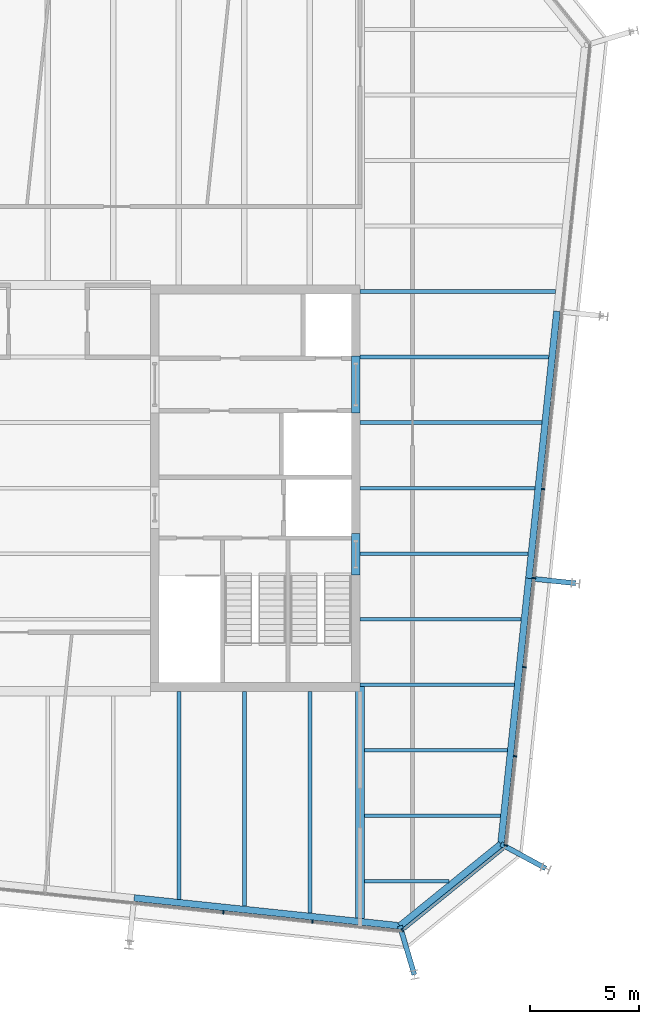
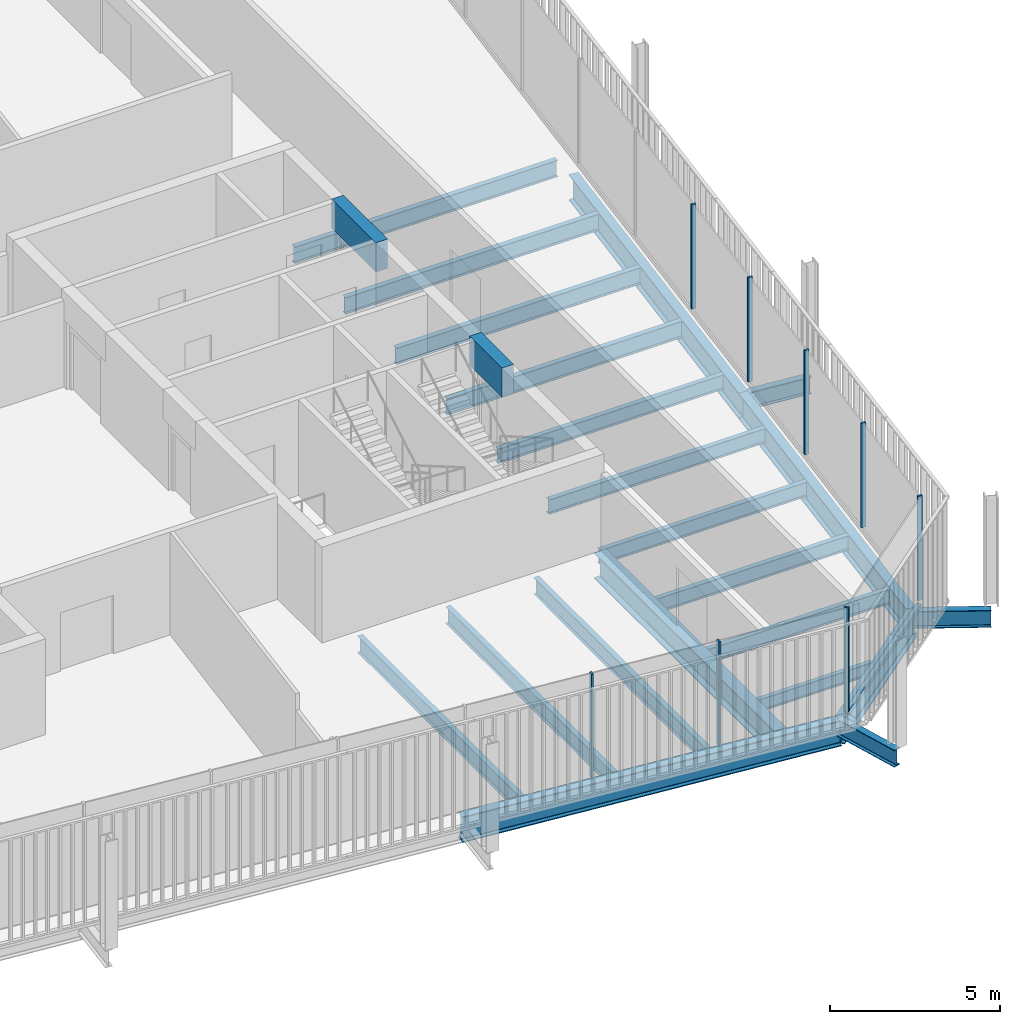
# One storey, part 9 of 19: 23 beams, 9 members, 3 elements without a shape of their own.
"""IFC4 building model written with IfcOpenShell, lengths in metres."""

from ifc_helpers import new_model, si_unit, direction, frame, origin, origin_2d, place, context, subcontext, project, spatial, rectangle, i_section, extrude, material, layer, layer_set, material_profile, profile_set, type_object, element, aggregate, save


model = new_model("IFC4")

# Units and contexts
model_context = context("Model", 3, precision=1e-05, world=origin(), true_north=direction((0.0, 1.0)))
body_context = subcontext(model_context, "Body", "Model", "MODEL_VIEW")
ifc_project = project(units=[si_unit("LENGTHUNIT", "METRE"), si_unit("AREAUNIT", "SQUARE_METRE"), si_unit("VOLUMEUNIT", "CUBIC_METRE"), si_unit("PLANEANGLEUNIT", "RADIAN"), si_unit("MASSUNIT", "GRAM", prefix="KILO")], contexts=[model_context])

# Site, building, storey
site_placement = place(None, origin())
site = spatial("IfcSite", under=ifc_project, at=site_placement, CompositionType="ELEMENT")
building_placement = place(site_placement, origin())
building = spatial("IfcBuilding", under=site, at=building_placement, Name="Millrace Tower", CompositionType="ELEMENT")
storey_placement = place(building_placement, frame((0.0, 0.0, 338.199951171875)))
storey = spatial("IfcBuildingStorey", under=building, at=storey_placement, Name="L78", CompositionType="ELEMENT", Elevation=338.199951171875)

# Curtain wall, members
ifc_material_1 = material(Name="Aluminium and glass", Category="aluminium")
ifc_layer = layer(ifc_material_1, 0.14990234375)
ifc_layer_set = layer_set([ifc_layer], Name="Aluminium and glass")
curtain_wall_type = type_object("IfcCurtainWallType", Name="CW-1 office vision curtain wall", PredefinedType="NOTDEFINED", material=ifc_layer_set)
placement = place(storey_placement, origin())
curtain_wall_1 = element("IfcCurtainWall", 1, at=placement, inside=storey, type_object=curtain_wall_type, Name="Curtain wall E-F02 L78", PredefinedType="NOTDEFINED")
ifc_material_2 = material(Name="Aluminium", Category="aluminium")
ifc_material_profile_1 = material_profile(ifc_material_2, rectangle(XDim=0.06494140625, YDim=0.14990234375, at=origin_2d()))
ifc_profile_set_1 = profile_set([ifc_material_profile_1], Name="Aluminium")
member_type_1 = type_object("IfcMemberType", Name="CW-1 office vision curtain wall mullion", PredefinedType="MULLION", material=ifc_profile_set_1)
member_1_placement = place(storey_placement, frame((8.040283203125, -19.4248046875, 0.14013671875), z_axis=(0.0, 0.0, 1.0), x_axis=(0.994521896217, -0.104528455196, 0.0)))
member_1 = element("IfcMember", 2, at=member_1_placement, type_object=member_type_1, Name="CW1 mullion E-F02.8", PredefinedType="MULLION", context=body_context, shape_type="SweptSolid", body=[
    extrude(rectangle(XDim=0.06494140625, YDim=0.14990234375, at=origin_2d()), origin(), (0.0, 0.0, 1.0), 3.760009765625),
])
member_2_placement = place(storey_placement, frame((12.117919921875, -19.853271484375, 0.14013671875), z_axis=(0.0, 0.0, 1.0), x_axis=(0.994521896217, -0.104528455196, 0.0)))
member_2 = element("IfcMember", 3, at=member_2_placement, type_object=member_type_1, Name="CW1 mullion E-F02.9", PredefinedType="MULLION", context=body_context, shape_type="SweptSolid", body=[
    extrude(rectangle(XDim=0.06494140625, YDim=0.14990234375, at=origin_2d()), origin(), (0.0, 0.0, 1.0), 3.760009765625),
])
aggregate(curtain_wall_1, [member_1, member_2])

# Curtain wall, member
curtain_wall_2 = element("IfcCurtainWall", 4, at=placement, inside=storey, type_object=curtain_wall_type, Name="Curtain wall E-F03 L78", PredefinedType="NOTDEFINED")
member_3_placement = place(storey_placement, frame((16.243408203125, -20.24169921875, 0.14013671875), z_axis=(0.0, 0.0, 1.0), x_axis=(0.777146052237, 0.629320278945, 0.0)))
member_3 = element("IfcMember", 5, at=member_3_placement, type_object=member_type_1, Name="CW1 mullion E-F03.1", PredefinedType="MULLION", context=body_context, shape_type="SweptSolid", body=[
    extrude(rectangle(XDim=0.06494140625, YDim=0.14990234375, at=origin_2d()), origin(), (0.0, 0.0, 1.0), 3.760009765625),
])

# Curtain wall, members
curtain_wall_3 = element("IfcCurtainWall", 6, at=placement, inside=storey, type_object=curtain_wall_type, Name="Curtain wall E-F04 L78", PredefinedType="NOTDEFINED")
member_4_placement = place(storey_placement, frame((20.974853515625, -16.3525390625, 0.14013671875), z_axis=(0.0, 0.0, 1.0), x_axis=(0.104528455196, 0.994521896217, 0.0)))
member_4 = element("IfcMember", 7, at=member_4_placement, type_object=member_type_1, Name="CW1 mullion E-F04.1", PredefinedType="MULLION", context=body_context, shape_type="SweptSolid", body=[
    extrude(rectangle(XDim=0.06494140625, YDim=0.14990234375, at=origin_2d()), origin(), (0.0, 0.0, 1.0), 3.760009765625),
])
member_5_placement = place(storey_placement, frame((21.4033203125, -12.27490234375, 0.14013671875), z_axis=(0.0, 0.0, 1.0), x_axis=(0.104528455196, 0.994521896217, 0.0)))
member_5 = element("IfcMember", 8, at=member_5_placement, type_object=member_type_1, Name="CW1 mullion E-F04.2", PredefinedType="MULLION", context=body_context, shape_type="SweptSolid", body=[
    extrude(rectangle(XDim=0.06494140625, YDim=0.14990234375, at=origin_2d()), origin(), (0.0, 0.0, 1.0), 3.760009765625),
])
member_6_placement = place(storey_placement, frame((21.83203125, -8.197509765625, 0.14013671875), z_axis=(0.0, 0.0, 1.0), x_axis=(0.104528455196, 0.994521896217, 0.0)))
member_6 = element("IfcMember", 9, at=member_6_placement, type_object=member_type_1, Name="CW1 mullion E-F04.3", PredefinedType="MULLION", context=body_context, shape_type="SweptSolid", body=[
    extrude(rectangle(XDim=0.06494140625, YDim=0.14990234375, at=origin_2d()), origin(), (0.0, 0.0, 1.0), 3.760009765625),
])
member_7_placement = place(storey_placement, frame((22.260498046875, -4.119873046875, 0.14013671875), z_axis=(0.0, 0.0, 1.0), x_axis=(0.104528455196, 0.994521896217, 0.0)))
member_7 = element("IfcMember", 10, at=member_7_placement, type_object=member_type_1, Name="CW1 mullion E-F04.4", PredefinedType="MULLION", context=body_context, shape_type="SweptSolid", body=[
    extrude(rectangle(XDim=0.06494140625, YDim=0.14990234375, at=origin_2d()), origin(), (0.0, 0.0, 1.0), 3.760009765625),
])
member_8_placement = place(storey_placement, frame((22.68896484375, -0.042236328125, 0.14013671875), z_axis=(0.0, 0.0, 1.0), x_axis=(0.104528455196, 0.994521896217, 0.0)))
member_8 = element("IfcMember", 11, at=member_8_placement, type_object=member_type_1, Name="CW1 mullion E-F04.5", PredefinedType="MULLION", context=body_context, shape_type="SweptSolid", body=[
    extrude(rectangle(XDim=0.06494140625, YDim=0.14990234375, at=origin_2d()), origin(), (0.0, 0.0, 1.0), 3.760009765625),
])
aggregate(curtain_wall_3, [member_4, member_5, member_6, member_7, member_8])

# Member
ifc_material_3 = material(Name="Aluminium", Category="aluminium")
ifc_material_profile_2 = material_profile(ifc_material_3, rectangle(XDim=0.14990234375, YDim=0.139892578125, at=origin_2d()))
ifc_profile_set_2 = profile_set([ifc_material_profile_2], Name="Aluminium")
member_type_2 = type_object("IfcMemberType", Name="CW-1 office vision curtain wall transom", PredefinedType="USERDEFINED", material=ifc_profile_set_2)
member_9_placement = place(storey_placement, frame((16.2958984375, -20.19921875, 0.070068359375), z_axis=(0.77714915117, 0.629316452061, 0.0), x_axis=(-0.629316452061, 0.77714915117, 0.0)))
member_9 = element("IfcMember", 12, at=member_9_placement, type_object=member_type_2, Name="CW1 transom E-F03.1", ObjectType="TRANSOM", PredefinedType="USERDEFINED", context=body_context, shape_type="SweptSolid", body=[
    extrude(rectangle(XDim=0.14990234375, YDim=0.139892578125, at=origin_2d()), origin(), (0.0, 0.0, 1.0), 5.880859375),
])

aggregate(curtain_wall_2, [member_3, member_9])

# Beams
ifc_material_4 = material(Name="Concrete C60", Category="concrete")
ifc_material_profile_3 = material_profile(ifc_material_4, rectangle(XDim=0.39990234375, YDim=1.050048828125, at=origin_2d()))
ifc_profile_set_3 = profile_set([ifc_material_profile_3], Name="Concrete C60")
beam_type_1 = type_object("IfcBeamType", Name="Coupling beam 400 x 1050 Concrete C60, 1300 opening", PredefinedType="BEAM", material=ifc_profile_set_3)
beam_1_placement = place(storey_placement, frame((14.10009765625, -2.080078125, 2.925048828125), z_axis=(0.0, -1.0, 0.0), x_axis=(1.0, 0.0, 0.0)))
element("IfcBeam", 13, at=beam_1_placement, inside=storey, type_object=beam_type_1, Name="Coupling beam E L78", PredefinedType="BEAM", context=body_context, shape_type="SweptSolid", body=[
    extrude(rectangle(XDim=0.39990234375, YDim=1.050048828125, at=origin_2d()), origin(), (0.0, 0.0, 1.0), 1.89990234375),
])
ifc_material_5 = material(Name="Concrete C60", Category="concrete")
ifc_material_profile_4 = material_profile(ifc_material_5, rectangle(XDim=0.39990234375, YDim=1.050048828125, at=origin_2d()))
ifc_profile_set_4 = profile_set([ifc_material_profile_4], Name="Concrete C60")
beam_type_2 = type_object("IfcBeamType", Name="Coupling beam 400 x 1050 Concrete C60, 2000 opening", PredefinedType="BEAM", material=ifc_profile_set_4)
beam_2_placement = place(storey_placement, frame((14.10009765625, 6.050048828125, 2.925048828125), z_axis=(0.0, -1.0, 0.0), x_axis=(1.0, 0.0, 0.0)))
element("IfcBeam", 14, at=beam_2_placement, inside=storey, type_object=beam_type_2, Name="Coupling beam E L78", PredefinedType="BEAM", context=body_context, shape_type="SweptSolid", body=[
    extrude(rectangle(XDim=0.39990234375, YDim=1.050048828125, at=origin_2d()), origin(), (0.0, 0.0, 1.0), 2.60009765625),
])
ifc_material_6 = material(Name="Steel ASTM A992 Grade 50", Category="steel")
ifc_material_profile_5 = material_profile(ifc_material_6, i_section(OverallWidth=0.15234375, OverallDepth=0.449462890625, WebThickness=0.007568359375, FlangeThickness=0.0107421875, FilletRadius=0.01025390625, at=origin_2d()))
ifc_profile_set_5 = profile_set([ifc_material_profile_5], Name="Steel ASTM A992 Grade 50")
beam_type_3 = type_object("IfcBeamType", Name="Floor beam W18x35", PredefinedType="JOIST", material=ifc_profile_set_5)
beam_3_placement = place(storey_placement, frame((14.509521484375, -18.0, -0.384765625), z_axis=(1.0, 0.0, 0.0), x_axis=(0.0, 1.0, 0.0)))
element("IfcBeam", 15, at=beam_3_placement, inside=storey, type_object=beam_type_3, Name="BM-E-L78-S1-S001", PredefinedType="JOIST", context=body_context, shape_type="SweptSolid", body=[
    extrude(i_section(OverallWidth=0.15234375, OverallDepth=0.449462890625, WebThickness=0.007568359375, FlangeThickness=0.0107421875, FilletRadius=0.01025390625, at=origin_2d()), origin(), (0.0, 0.0, 1.0), 3.87060546875),
])
ifc_material_7 = material(Name="Steel ASTM A992 Grade 50", Category="steel")
ifc_material_profile_6 = material_profile(ifc_material_7, i_section(OverallWidth=0.1650390625, OverallDepth=0.52587890625, WebThickness=0.0087890625, FlangeThickness=0.011474609375, FilletRadius=0.0126953125, at=origin_2d()))
ifc_profile_set_6 = profile_set([ifc_material_profile_6], Name="Steel ASTM A992 Grade 50")
beam_type_4 = type_object("IfcBeamType", Name="Floor beam W21x44", PredefinedType="JOIST", material=ifc_profile_set_6)
beam_4_placement = place(storey_placement, frame((14.509521484375, -15.0, -0.4228515625), z_axis=(1.0, 0.0, 0.0), x_axis=(0.0, 1.0, 0.0)))
element("IfcBeam", 16, at=beam_4_placement, inside=storey, type_object=beam_type_4, Name="BM-E-L78-S1-S003", PredefinedType="JOIST", context=body_context, shape_type="SweptSolid", body=[
    extrude(i_section(OverallWidth=0.1650390625, OverallDepth=0.52587890625, WebThickness=0.0087890625, FlangeThickness=0.011474609375, FilletRadius=0.0126953125, at=origin_2d()), origin(), (0.0, 0.0, 1.0), 6.222900390625),
])
beam_5_placement = place(storey_placement, frame((14.509521484375, -12.0, -0.4228515625), z_axis=(1.0, 0.0, 0.0), x_axis=(0.0, 1.0, 0.0)))
element("IfcBeam", 17, at=beam_5_placement, inside=storey, type_object=beam_type_4, Name="BM-E-L78-S1-S005", PredefinedType="JOIST", context=body_context, shape_type="SweptSolid", body=[
    extrude(i_section(OverallWidth=0.1650390625, OverallDepth=0.52587890625, WebThickness=0.0087890625, FlangeThickness=0.011474609375, FilletRadius=0.0126953125, at=origin_2d()), origin(), (0.0, 0.0, 1.0), 6.538330078125),
])
beam_6_placement = place(storey_placement, frame((14.300048828125, -9.0, -0.4228515625), z_axis=(1.0, 0.0, 0.0), x_axis=(0.0, 1.0, 0.0)))
element("IfcBeam", 18, at=beam_6_placement, inside=storey, type_object=beam_type_4, Name="BM-E-L78-S1-S007", PredefinedType="JOIST", context=body_context, shape_type="SweptSolid", body=[
    extrude(i_section(OverallWidth=0.1650390625, OverallDepth=0.52587890625, WebThickness=0.0087890625, FlangeThickness=0.011474609375, FilletRadius=0.0126953125, at=origin_2d()), origin(), (0.0, 0.0, 1.0), 7.06298828125),
])
beam_7_placement = place(storey_placement, frame((14.300048828125, -6.0, -0.4228515625), z_axis=(1.0, 0.0, 0.0), x_axis=(0.0, 1.0, 0.0)))
element("IfcBeam", 19, at=beam_7_placement, inside=storey, type_object=beam_type_4, Name="BM-E-L78-S1-S010", PredefinedType="JOIST", context=body_context, shape_type="SweptSolid", body=[
    extrude(i_section(OverallWidth=0.1650390625, OverallDepth=0.52587890625, WebThickness=0.0087890625, FlangeThickness=0.011474609375, FilletRadius=0.0126953125, at=origin_2d()), origin(), (0.0, 0.0, 1.0), 7.37841796875),
])
beam_8_placement = place(storey_placement, frame((14.300048828125, -3.0, -0.4228515625), z_axis=(1.0, 0.0, 0.0), x_axis=(0.0, 1.0, 0.0)))
element("IfcBeam", 20, at=beam_8_placement, inside=storey, type_object=beam_type_4, Name="BM-E-L78-S1-S013", PredefinedType="JOIST", context=body_context, shape_type="SweptSolid", body=[
    extrude(i_section(OverallWidth=0.1650390625, OverallDepth=0.52587890625, WebThickness=0.0087890625, FlangeThickness=0.011474609375, FilletRadius=0.0126953125, at=origin_2d()), origin(), (0.0, 0.0, 1.0), 7.693603515625),
])
ifc_material_8 = material(Name="Steel ASTM A992 Grade 50", Category="steel")
ifc_material_profile_7 = material_profile(ifc_material_8, i_section(OverallWidth=0.177978515625, OverallDepth=0.599365234375, WebThickness=0.010009765625, FlangeThickness=0.012939453125, FilletRadius=0.012939453125, at=origin_2d()))
ifc_profile_set_7 = profile_set([ifc_material_profile_7], Name="Steel ASTM A992 Grade 50")
beam_type_5 = type_object("IfcBeamType", Name="Floor beam W24x55", PredefinedType="JOIST", material=ifc_profile_set_7)
beam_9_placement = place(storey_placement, frame((14.300048828125, 0.0, -0.459716796875), z_axis=(1.0, 0.0, 0.0), x_axis=(0.0, 1.0, 0.0)))
element("IfcBeam", 21, at=beam_9_placement, inside=storey, type_object=beam_type_5, Name="BM-E-L78-S1-S016", PredefinedType="JOIST", context=body_context, shape_type="SweptSolid", body=[
    extrude(i_section(OverallWidth=0.177978515625, OverallDepth=0.599365234375, WebThickness=0.010009765625, FlangeThickness=0.012939453125, FilletRadius=0.012939453125, at=origin_2d()), origin(), (0.0, 0.0, 1.0), 8.009033203125),
])
beam_10_placement = place(storey_placement, frame((14.300048828125, 3.0, -0.459716796875), z_axis=(1.0, 0.0, 0.0), x_axis=(0.0, 1.0, 0.0)))
element("IfcBeam", 22, at=beam_10_placement, inside=storey, type_object=beam_type_5, Name="BM-E-L78-S1-S019", PredefinedType="JOIST", context=body_context, shape_type="SweptSolid", body=[
    extrude(i_section(OverallWidth=0.177978515625, OverallDepth=0.599365234375, WebThickness=0.010009765625, FlangeThickness=0.012939453125, FilletRadius=0.012939453125, at=origin_2d()), origin(), (0.0, 0.0, 1.0), 8.324462890625),
])
beam_11_placement = place(storey_placement, frame((14.300048828125, 6.0, -0.459716796875), z_axis=(1.0, 0.0, 0.0), x_axis=(0.0, 1.0, 0.0)))
element("IfcBeam", 23, at=beam_11_placement, inside=storey, type_object=beam_type_5, Name="BM-E-L78-S1-S022", PredefinedType="JOIST", context=body_context, shape_type="SweptSolid", body=[
    extrude(i_section(OverallWidth=0.177978515625, OverallDepth=0.599365234375, WebThickness=0.010009765625, FlangeThickness=0.012939453125, FilletRadius=0.012939453125, at=origin_2d()), origin(), (0.0, 0.0, 1.0), 8.6396484375),
])
beam_12_placement = place(storey_placement, frame((14.300048828125, 9.0, -0.459716796875), z_axis=(1.0, 0.0, 0.0), x_axis=(0.0, 1.0, 0.0)))
element("IfcBeam", 24, at=beam_12_placement, inside=storey, type_object=beam_type_5, Name="BM-E-L78-S1-S024", PredefinedType="JOIST", context=body_context, shape_type="SweptSolid", body=[
    extrude(i_section(OverallWidth=0.177978515625, OverallDepth=0.599365234375, WebThickness=0.010009765625, FlangeThickness=0.012939453125, FilletRadius=0.012939453125, at=origin_2d()), origin(), (0.0, 0.0, 1.0), 8.955078125),
])
beam_13_placement = place(storey_placement, frame((6.0, -18.825927734375, -0.459716796875), z_axis=(0.0, 1.0, 0.0), x_axis=(-1.0, 0.0, 0.0)))
element("IfcBeam", 25, at=beam_13_placement, inside=storey, type_object=beam_type_5, Name="BM-E-L78-S1-S049", PredefinedType="JOIST", context=body_context, shape_type="SweptSolid", body=[
    extrude(i_section(OverallWidth=0.177978515625, OverallDepth=0.599365234375, WebThickness=0.010009765625, FlangeThickness=0.012939453125, FilletRadius=0.012939453125, at=origin_2d()), origin(), (0.0, 0.0, 1.0), 9.52587890625),
])
beam_14_placement = place(storey_placement, frame((9.0, -19.14111328125, -0.459716796875), z_axis=(0.0, 1.0, 0.0), x_axis=(-1.0, 0.0, 0.0)))
element("IfcBeam", 26, at=beam_14_placement, inside=storey, type_object=beam_type_5, Name="BM-E-L78-S1-S051", PredefinedType="JOIST", context=body_context, shape_type="SweptSolid", body=[
    extrude(i_section(OverallWidth=0.177978515625, OverallDepth=0.599365234375, WebThickness=0.010009765625, FlangeThickness=0.012939453125, FilletRadius=0.012939453125, at=origin_2d()), origin(), (0.0, 0.0, 1.0), 9.841064453125),
])
ifc_material_9 = material(Name="Steel ASTM A992 Grade 50", Category="steel")
ifc_material_profile_8 = material_profile(ifc_material_9, i_section(OverallWidth=0.1787109375, OverallDepth=0.60205078125, WebThickness=0.010986328125, FlangeThickness=0.014892578125, FilletRadius=0.0126953125, at=origin_2d()))
ifc_profile_set_8 = profile_set([ifc_material_profile_8], Name="Steel ASTM A992 Grade 50")
beam_type_6 = type_object("IfcBeamType", Name="Floor beam W24x62", PredefinedType="JOIST", material=ifc_profile_set_8)
beam_15_placement = place(storey_placement, frame((12.0, -19.45654296875, -0.4609375), z_axis=(0.0, 1.0, 0.0), x_axis=(-1.0, 0.0, 0.0)))
element("IfcBeam", 27, at=beam_15_placement, inside=storey, type_object=beam_type_6, Name="BM-E-L78-S1-S053", PredefinedType="JOIST", context=body_context, shape_type="SweptSolid", body=[
    extrude(i_section(OverallWidth=0.1787109375, OverallDepth=0.60205078125, WebThickness=0.010986328125, FlangeThickness=0.014892578125, FilletRadius=0.0126953125, at=origin_2d()), origin(), (0.0, 0.0, 1.0), 10.156494140625),
])
ifc_material_10 = material(Name="Steel ASTM A992 Grade 50", Category="steel")
ifc_material_profile_9 = material_profile(ifc_material_10, i_section(OverallWidth=0.419189453125, OverallDepth=0.927001953125, WebThickness=0.019287109375, FlangeThickness=0.031982421875, FilletRadius=0.024169921875, at=origin_2d()))
ifc_profile_set_9 = profile_set([ifc_material_profile_9], Name="Steel ASTM A992 Grade 50")
beam_type_7 = type_object("IfcBeamType", Name="Girder short span W36x231", PredefinedType="BEAM", material=ifc_profile_set_9)
beam_16_placement = place(storey_placement, frame((14.300048828125, -19.6982421875, -0.62353515625), z_axis=(0.0, 1.0, 0.0), x_axis=(-1.0, 0.0, 0.0)))
element("IfcBeam", 28, at=beam_16_placement, inside=storey, type_object=beam_type_7, Name="BM-E-L78-S1-G057", PredefinedType="BEAM", context=body_context, shape_type="SweptSolid", body=[
    extrude(i_section(OverallWidth=0.419189453125, OverallDepth=0.927001953125, WebThickness=0.019287109375, FlangeThickness=0.031982421875, FilletRadius=0.024169921875, at=origin_2d()), origin(), (0.0, 0.0, 1.0), 10.6142578125),
])
ifc_material_11 = material(Name="Steel ASTM A992 Grade 50", Category="steel")
ifc_material_profile_10 = material_profile(ifc_material_11, i_section(OverallWidth=0.23046875, OverallDepth=0.6171875, WebThickness=0.01318359375, FlangeThickness=0.022216796875, FilletRadius=0.012939453125, at=origin_2d()))
ifc_profile_set_10 = profile_set([ifc_material_profile_10], Name="Steel ASTM A992 Grade 50")
beam_type_8 = type_object("IfcBeamType", Name="Link beam W24x94", PredefinedType="BEAM", material=ifc_profile_set_10)
beam_17_placement = place(storey_placement, frame((22.1826171875, -4.144287109375, -0.468505859375), z_axis=(0.99452550138, -0.104494148666, 0.0), x_axis=(0.104494148666, 0.99452550138, 0.0)))
element("IfcBeam", 29, at=beam_17_placement, inside=storey, type_object=beam_type_8, Name="LNK-E-L78-S1-11", PredefinedType="BEAM", context=body_context, shape_type="SweptSolid", body=[
    extrude(i_section(OverallWidth=0.23046875, OverallDepth=0.6171875, WebThickness=0.01318359375, FlangeThickness=0.022216796875, FilletRadius=0.012939453125, at=origin_2d()), origin(), (0.0, 0.0, 1.0), 2.0),
])
for number, where, z_axis, x_axis, name in (
    (30, (20.750732421875, -16.297607421875, -0.468505859375), (0.87881453358, -0.477163510307, 0.0), (0.477163510307, 0.87881453358, 0.0), "LNK-E-L78-S1-12"),
    (31, (16.123779296875, -20.04443359375, -0.468505859375), (0.283934988541, -0.958843533785, 0.0), (0.958843533785, 0.283934988541, 0.0), "LNK-E-L78-S1-13"),
):
    element("IfcBeam", number, at=place(storey_placement, frame(where, z_axis=z_axis, x_axis=x_axis)), inside=storey, type_object=beam_type_8, Name=name, PredefinedType="BEAM", context=body_context, shape_type="SweptSolid", body=[
        extrude(i_section(OverallWidth=0.23046875, OverallDepth=0.6171875, WebThickness=0.01318359375, FlangeThickness=0.022216796875, FilletRadius=0.012939453125, at=origin_2d()), origin(), (0.0, 0.0, 1.0), 2.3310546875),
    ])
ifc_material_12 = material(Name="Steel ASTM A992 Grade 50", Category="steel")
ifc_material_profile_11 = material_profile(ifc_material_12, i_section(OverallWidth=0.307373046875, OverallDepth=0.927001953125, WebThickness=0.01953125, FlangeThickness=0.031982421875, FilletRadius=0.01904296875, at=origin_2d()))
ifc_profile_set_11 = profile_set([ifc_material_profile_11], Name="Steel ASTM A992 Grade 50")
beam_type_9 = type_object("IfcBeamType", Name="Ring beam medium span W36x194", PredefinedType="SPANDREL", material=ifc_profile_set_11)
beam_18_placement = place(storey_placement, frame((23.3154296875, 8.104248046875, -0.62353515625), z_axis=(-0.10452566363, -0.994522189618, 0.0), x_axis=(0.994522189618, -0.10452566363, 0.0)))
element("IfcBeam", 32, at=beam_18_placement, inside=storey, type_object=beam_type_9, Name="RNG-E-L78-S1-10", PredefinedType="SPANDREL", context=body_context, shape_type="SweptSolid", body=[
    extrude(i_section(OverallWidth=0.307373046875, OverallDepth=0.927001953125, WebThickness=0.01953125, FlangeThickness=0.031982421875, FilletRadius=0.01904296875, at=origin_2d()), origin(), (0.0, 0.0, 1.0), 12.2998046875),
])
for number, where, z_axis, x_axis, name in (
    (33, (22.02978515625, -4.128173828125, -0.62353515625), (-0.104527955888, -0.994521948696, 0.0), (0.994521948696, -0.104527955888, 0.0), "RNG-E-L78-S1-11"),
    (34, (16.123779296875, -20.04443359375, -0.62353515625), (-0.994521948696, 0.104527955888, 0.0), (-0.104527955888, -0.994521948696, 0.0), "RNG-E-L78-S1-13"),
):
    element("IfcBeam", number, at=place(storey_placement, frame(where, z_axis=z_axis, x_axis=x_axis)), inside=storey, type_object=beam_type_9, Name=name, PredefinedType="SPANDREL", context=body_context, shape_type="SweptSolid", body=[
        extrude(i_section(OverallWidth=0.307373046875, OverallDepth=0.927001953125, WebThickness=0.01953125, FlangeThickness=0.031982421875, FilletRadius=0.01904296875, at=origin_2d()), origin(), (0.0, 0.0, 1.0), 12.236572265625),
    ])
ifc_material_13 = material(Name="Steel ASTM A992 Grade 50", Category="steel")
ifc_material_profile_12 = material_profile(ifc_material_13, i_section(OverallWidth=0.307373046875, OverallDepth=0.927001953125, WebThickness=0.01953125, FlangeThickness=0.031982421875, FilletRadius=0.01904296875, at=origin_2d()))
ifc_profile_set_12 = profile_set([ifc_material_profile_12], Name="Steel ASTM A992 Grade 50")
beam_type_10 = type_object("IfcBeamType", Name="Ring beam short span W36x194", PredefinedType="SPANDREL", material=ifc_profile_set_12)
beam_19_placement = place(storey_placement, frame((20.750732421875, -16.297607421875, -0.62353515625), z_axis=(-0.777146502883, -0.629319722443, 0.0), x_axis=(0.629319722443, -0.777146502883, 0.0)))
element("IfcBeam", 35, at=beam_19_placement, inside=storey, type_object=beam_type_10, Name="RNG-E-L78-S1-12", PredefinedType="SPANDREL", context=body_context, shape_type="SweptSolid", body=[
    extrude(i_section(OverallWidth=0.307373046875, OverallDepth=0.927001953125, WebThickness=0.01953125, FlangeThickness=0.031982421875, FilletRadius=0.01904296875, at=origin_2d()), origin(), (0.0, 0.0, 1.0), 5.953857421875),
])

save(model, "model.ifc")
